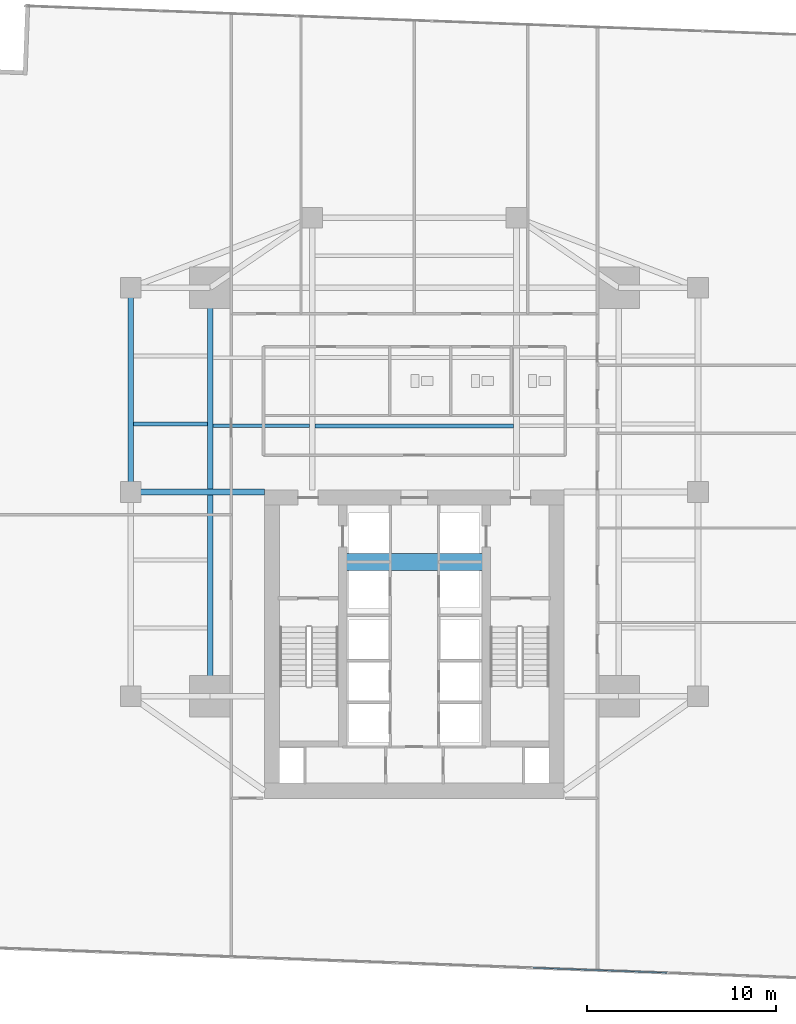
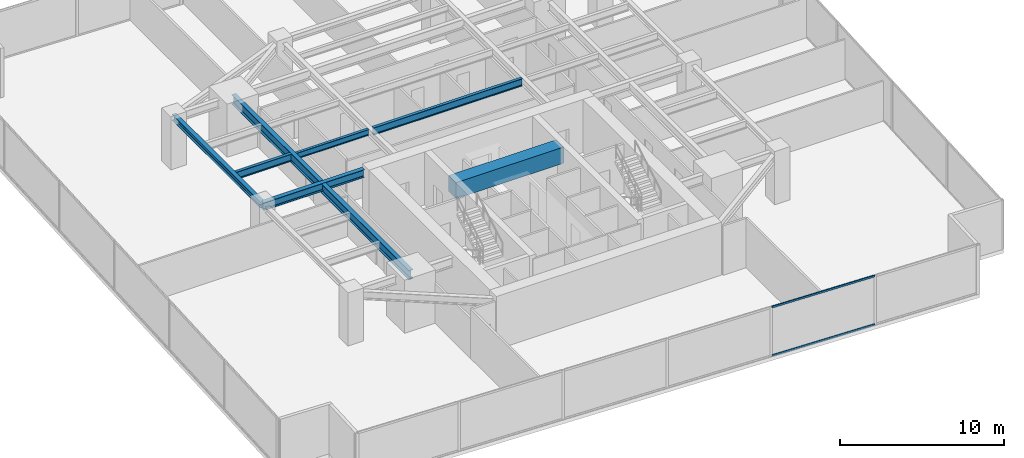
# One storey, part 11 of 30: 7 beams, 2 members, 1 element without a shape of its own.
"""IFC4 building model written with IfcOpenShell, lengths in metres."""

from ifc_helpers import new_model, si_unit, direction, frame, origin, origin_2d, place, context, subcontext, project, spatial, rectangle, hollow_rectangle, i_section, extrude, source, transform, mapped, material, material_profile, profile_set, type_object, type_shapes, element, aggregate, save


model = new_model("IFC4")

# Units and contexts
model_context = context("Model", 3, precision=1e-05, world=origin(), true_north=direction((0.0, 1.0)))
body_context = subcontext(model_context, "Body", "Model", "MODEL_VIEW")
ifc_project = project(units=[si_unit("LENGTHUNIT", "METRE"), si_unit("AREAUNIT", "SQUARE_METRE"), si_unit("VOLUMEUNIT", "CUBIC_METRE"), si_unit("PLANEANGLEUNIT", "RADIAN"), si_unit("MASSUNIT", "GRAM", prefix="KILO")], contexts=[model_context])

# Site, building, storey
site_placement = place(None, origin())
site = spatial("IfcSite", under=ifc_project, at=site_placement, CompositionType="ELEMENT")
building_placement = place(site_placement, origin())
building = spatial("IfcBuilding", under=site, at=building_placement, Name="Krantzveldt Concourse Tower", CompositionType="ELEMENT")
storey_placement = place(building_placement, frame((0.0, 0.0, 44.75)))
storey = spatial("IfcBuildingStorey", under=building, at=storey_placement, Name="L10", CompositionType="ELEMENT", Elevation=44.75)

# Beams
ifc_material_1 = material(Name="Concrete C50/60", Category="concrete")
ifc_material_profile_1 = material_profile(ifc_material_1, rectangle(XDim=0.89990234375, YDim=1.199951171875, at=origin_2d()), Name="Concrete C50/60", Category="concrete")
ifc_profile_set_1 = profile_set([ifc_material_profile_1], Name="Concrete C50/60 - RC-CB 900x1200")
beam_type_1 = type_object("IfcBeamType", Name="BM-CB-1200", PredefinedType="LINTEL", material=ifc_profile_set_1)
shared_shape_1 = source(origin(), body_context, "Body", "SweptSolid", [
    extrude(rectangle(XDim=0.89990234375, YDim=1.199951171875, at=origin_2d()), origin(), (0.0, 0.0, 1.0), 7.580078125),
])
type_shapes(beam_type_1, [shared_shape_1])
beam_1_placement = place(storey_placement, frame((32.2099609375, 23.0, 3.070068359375), z_axis=(1.0, 0.0, 0.0), x_axis=(0.0, 1.0, 0.0)))
element("IfcBeam", 1, at=beam_1_placement, inside=storey, type_object=beam_type_1, Name="CB-L10-01", PredefinedType="LINTEL", context=body_context, shape_type="MappedRepresentation", body=[
    mapped(shared_shape_1, transform((0.0, 0.0, 0.0), x_axis=(1.0, 0.0, 0.0), y_axis=(0.0, 1.0, 0.0), z_axis=(0.0, 0.0, 1.0), scale=1.0)),
])
ifc_material_2 = material(Name="Steel S355J2", Category="steel")
ifc_material_profile_2 = material_profile(ifc_material_2, i_section(OverallWidth=0.300048828125, OverallDepth=0.699951171875, WebThickness=0.01708984375, FlangeThickness=0.031982421875, FilletRadius=0.027099609375, at=origin_2d()), Name="Steel S355J2", Category="steel")
ifc_profile_set_2 = profile_set([ifc_material_profile_2], Name="Steel S355J2 - HEB 700")
beam_type_2 = type_object("IfcBeamType", Name="BM-B-HEB700", PredefinedType="BEAM", material=ifc_profile_set_2)
shared_shape_2 = source(origin(), body_context, "Body", "SweptSolid", [
    extrude(i_section(OverallWidth=0.300048828125, OverallDepth=0.699951171875, WebThickness=0.01708984375, FlangeThickness=0.031982421875, FilletRadius=0.027099609375, at=origin_2d()), origin(), (0.0, 0.0, 1.0), 21.60009765625),
])
type_shapes(beam_type_2, [shared_shape_2])
beam_2_placement = place(storey_placement, frame((25.199951171875, 15.89990234375, 3.320068359375), z_axis=(0.0, 1.0, 0.0), x_axis=(-1.0, 0.0, 0.0)))
element("IfcBeam", 2, at=beam_2_placement, inside=storey, type_object=beam_type_2, Name="L10 Tower Girder BG-MW", PredefinedType="BEAM", context=body_context, shape_type="MappedRepresentation", body=[
    mapped(shared_shape_2, transform((0.0, 0.0, 0.0), x_axis=(1.0, 0.0, 0.0), y_axis=(0.0, 1.0, 0.0), z_axis=(0.0, 0.0, 1.0), scale=1.0)),
])
ifc_material_3 = material(Name="Steel S355JR", Category="steel")
ifc_material_profile_3 = material_profile(ifc_material_3, i_section(OverallWidth=0.300048828125, OverallDepth=0.590087890625, WebThickness=0.012939453125, FlangeThickness=0.02490234375, FilletRadius=0.027099609375, at=origin_2d()), Name="Steel S355JR", Category="steel")
ifc_profile_set_3 = profile_set([ifc_material_profile_3], Name="Steel S355JR - HEA 600")
beam_type_3 = type_object("IfcBeamType", Name="BM-B-HEA600", PredefinedType="BEAM", material=ifc_profile_set_3)
shared_shape_3 = source(origin(), body_context, "Body", "SweptSolid", [
    extrude(i_section(OverallWidth=0.300048828125, OverallDepth=0.590087890625, WebThickness=0.012939453125, FlangeThickness=0.02490234375, FilletRadius=0.027099609375, at=origin_2d()), origin(), (0.0, 0.0, 1.0), 7.080078125),
])
type_shapes(beam_type_3, [shared_shape_3])
beam_3_placement = place(storey_placement, frame((21.0, 26.699951171875, 3.375), z_axis=(1.0, 0.0, 0.0), x_axis=(0.0, 1.0, 0.0)))
element("IfcBeam", 3, at=beam_3_placement, inside=storey, type_object=beam_type_3, Name="L10 Tower Girder BG-CW2", PredefinedType="BEAM", context=body_context, shape_type="MappedRepresentation", body=[
    mapped(shared_shape_3, transform((0.0, 0.0, 0.0), x_axis=(1.0, 0.0, 0.0), y_axis=(0.0, 1.0, 0.0), z_axis=(0.0, 0.0, 1.0), scale=1.0)),
])
ifc_material_profile_4 = material_profile(ifc_material_3, i_section(OverallWidth=0.300048828125, OverallDepth=0.43994140625, WebThickness=0.011474609375, FlangeThickness=0.02099609375, FilletRadius=0.027099609375, at=origin_2d()), Name="Steel S355JR", Category="steel")
ifc_profile_set_4 = profile_set([ifc_material_profile_4], Name="Steel S355JR - HEA 450")
beam_type_4 = type_object("IfcBeamType", Name="BM-SP-HEA450", PredefinedType="SPANDREL", material=ifc_profile_set_4)
shared_shape_4 = source(origin(), body_context, "Body", "SweptSolid", [
    extrude(i_section(OverallWidth=0.300048828125, OverallDepth=0.43994140625, WebThickness=0.011474609375, FlangeThickness=0.02099609375, FilletRadius=0.027099609375, at=origin_2d()), origin(), (0.0, 0.0, 1.0), 10.800048828125),
])
type_shapes(beam_type_4, [shared_shape_4])
beam_4_placement = place(storey_placement, frame((21.0, 26.699951171875, 3.449951171875), z_axis=(0.0, 1.0, 0.0), x_axis=(-1.0, 0.0, 0.0)))
element("IfcBeam", 4, at=beam_4_placement, inside=storey, type_object=beam_type_4, Name="L10 Tower Girder SP-R02", PredefinedType="SPANDREL", context=body_context, shape_type="MappedRepresentation", body=[
    mapped(shared_shape_4, transform((0.0, 0.0, 0.0), x_axis=(1.0, 0.0, 0.0), y_axis=(0.0, 1.0, 0.0), z_axis=(0.0, 0.0, 1.0), scale=1.0)),
])
ifc_material_profile_5 = material_profile(ifc_material_3, i_section(OverallWidth=0.2099609375, OverallDepth=0.550048828125, WebThickness=0.010986328125, FlangeThickness=0.01708984375, FilletRadius=0.02392578125, at=origin_2d()), Name="Steel S355JR", Category="steel")
ifc_profile_set_5 = profile_set([ifc_material_profile_5], Name="Steel S355JR - IPE 550")
beam_type_5 = type_object("IfcBeamType", Name="BM-J-IPE550", PredefinedType="JOIST", material=ifc_profile_set_5)
shared_shape_5 = source(origin(), body_context, "Body", "SweptSolid", [
    extrude(i_section(OverallWidth=0.2099609375, OverallDepth=0.550048828125, WebThickness=0.010986328125, FlangeThickness=0.01708984375, FilletRadius=0.02392578125, at=origin_2d()), origin(), (0.0, 0.0, 1.0), 10.5),
])
beam_5_placement = place(storey_placement, frame((30.75, 30.199951171875, 3.39501953125), z_axis=(1.0, 0.0, 0.0), x_axis=(0.0, 1.0, 0.0)))
element("IfcBeam", 5, at=beam_5_placement, inside=storey, type_object=beam_type_5, Name="L10 Secondary Floor Joist JN-C1", PredefinedType="JOIST", context=body_context, shape_type="MappedRepresentation", body=[
    mapped(shared_shape_5, transform((0.0, 0.0, 0.0), x_axis=(1.0, 0.0, 0.0), y_axis=(0.0, 1.0, 0.0), z_axis=(0.0, 0.0, 1.0), scale=1.0)),
])
ifc_material_profile_6 = material_profile(ifc_material_3, i_section(OverallWidth=0.18994140625, OverallDepth=0.449951171875, WebThickness=0.009521484375, FlangeThickness=0.0146484375, FilletRadius=0.02099609375, at=origin_2d()), Name="Steel S355JR", Category="steel")
ifc_profile_set_6 = profile_set([ifc_material_profile_6], Name="Steel S355JR - IPE 450")
beam_type_6 = type_object("IfcBeamType", Name="BM-J-IPE450", PredefinedType="JOIST", material=ifc_profile_set_6)
shared_shape_6 = source(origin(), body_context, "Body", "SweptSolid", [
    extrude(i_section(OverallWidth=0.18994140625, OverallDepth=0.449951171875, WebThickness=0.009521484375, FlangeThickness=0.0146484375, FilletRadius=0.02099609375, at=origin_2d()), origin(), (0.0, 0.0, 1.0), 5.099853515625),
])
type_shapes(beam_type_6, [shared_shape_6])
beam_6_placement = place(storey_placement, frame((25.35009765625, 30.199951171875, 3.445068359375), z_axis=(1.0, 0.0, 0.0), x_axis=(0.0, 1.0, 0.0)))
element("IfcBeam", 6, at=beam_6_placement, inside=storey, type_object=beam_type_6, Name="L10 Secondary Floor Joist JN-W1", PredefinedType="JOIST", context=body_context, shape_type="MappedRepresentation", body=[
    mapped(shared_shape_6, transform((0.0, 0.0, 0.0), x_axis=(1.0, 0.0, 0.0), y_axis=(0.0, 1.0, 0.0), z_axis=(0.0, 0.0, 1.0), scale=1.0)),
])
shared_shape_7 = source(origin(), body_context, "Body", "SweptSolid", [
    extrude(i_section(OverallWidth=0.2099609375, OverallDepth=0.550048828125, WebThickness=0.010986328125, FlangeThickness=0.01708984375, FilletRadius=0.02392578125, at=origin_2d()), origin(), (0.0, 0.0, 1.0), 3.900146484375),
])
type_shapes(beam_type_5, [shared_shape_5, shared_shape_7])
beam_7_placement = place(storey_placement, frame((21.14990234375, 30.300048828125, 3.39501953125), z_axis=(1.0, 0.0, 0.0), x_axis=(0.0, 1.0, 0.0)))
element("IfcBeam", 7, at=beam_7_placement, inside=storey, type_object=beam_type_5, Name="L10 Secondary Floor Joist JW-3", PredefinedType="JOIST", context=body_context, shape_type="MappedRepresentation", body=[
    mapped(shared_shape_7, transform((0.0, 0.0, 0.0), x_axis=(1.0, 0.0, 0.0), y_axis=(0.0, 1.0, 0.0), z_axis=(0.0, 0.0, 1.0), scale=1.0)),
])

# Curtain wall, members
ifc_material_4 = material(Name="Anodised aluminium 6063-T6", Category="aluminium")
curtain_wall_type = type_object("IfcCurtainWallType", Name="CW2", PredefinedType="USERDEFINED", material=ifc_material_4)
curtain_wall_placement = place(storey_placement, origin())
curtain_wall = element("IfcCurtainWall", 8, at=curtain_wall_placement, inside=storey, type_object=curtain_wall_type, Name="CW-L10-F04", ObjectType="UNITISED CURTAIN WALL", PredefinedType="USERDEFINED")
ifc_material_profile_7 = material_profile(ifc_material_4, hollow_rectangle(XDim=0.070068359375, YDim=0.139892578125, WallThickness=0.0048828125, at=origin_2d()), Name="Anodised aluminium 6063-T6", Category="aluminium")
ifc_profile_set_7 = profile_set([ifc_material_profile_7], Name="Anodised aluminium 6063-T6 - ALU-TRAN 140x70x5")
member_type = type_object("IfcMemberType", Name="CW-TRN-150", PredefinedType="USERDEFINED", material=ifc_profile_set_7)
shared_shape_8 = source(origin(), body_context, "Body", "SweptSolid", [
    extrude(hollow_rectangle(XDim=0.070068359375, YDim=0.139892578125, WallThickness=0.0048828125, at=origin_2d()), origin(), (0.0, 0.0, 1.0), 7.0966796875),
])
type_shapes(member_type, [shared_shape_8])
member_1_placement = place(storey_placement, frame((42.27294921875, 1.5400390625, 0.034912109375), z_axis=(0.999312097724, -0.037085459975, 0.0), x_axis=(0.037085459975, 0.999312097724, 0.0)))
member_1 = element("IfcMember", 9, at=member_1_placement, type_object=member_type, Name="CW-Z12 transom 5.1", ObjectType="TRANSOM", PredefinedType="USERDEFINED", context=body_context, shape_type="MappedRepresentation", body=[
    mapped(shared_shape_8, transform((0.0, 0.0, 0.0), x_axis=(1.0, 0.0, 0.0), y_axis=(0.0, 1.0, 0.0), z_axis=(0.0, 0.0, 1.0), scale=1.0)),
])
member_2_placement = place(storey_placement, frame((42.27294921875, 1.5400390625, 3.635009765625), z_axis=(0.999312097724, -0.037085459975, 0.0), x_axis=(0.037085459975, 0.999312097724, 0.0)))
member_2 = element("IfcMember", 10, at=member_2_placement, type_object=member_type, Name="CW-Z12 transom 5.2", ObjectType="TRANSOM", PredefinedType="USERDEFINED", context=body_context, shape_type="MappedRepresentation", body=[
    mapped(shared_shape_8, transform((0.0, 0.0, 0.0), x_axis=(1.0, 0.0, 0.0), y_axis=(0.0, 1.0, 0.0), z_axis=(0.0, 0.0, 1.0), scale=1.0)),
])
aggregate(curtain_wall, [member_1, member_2])

save(model, "model.ifc")
